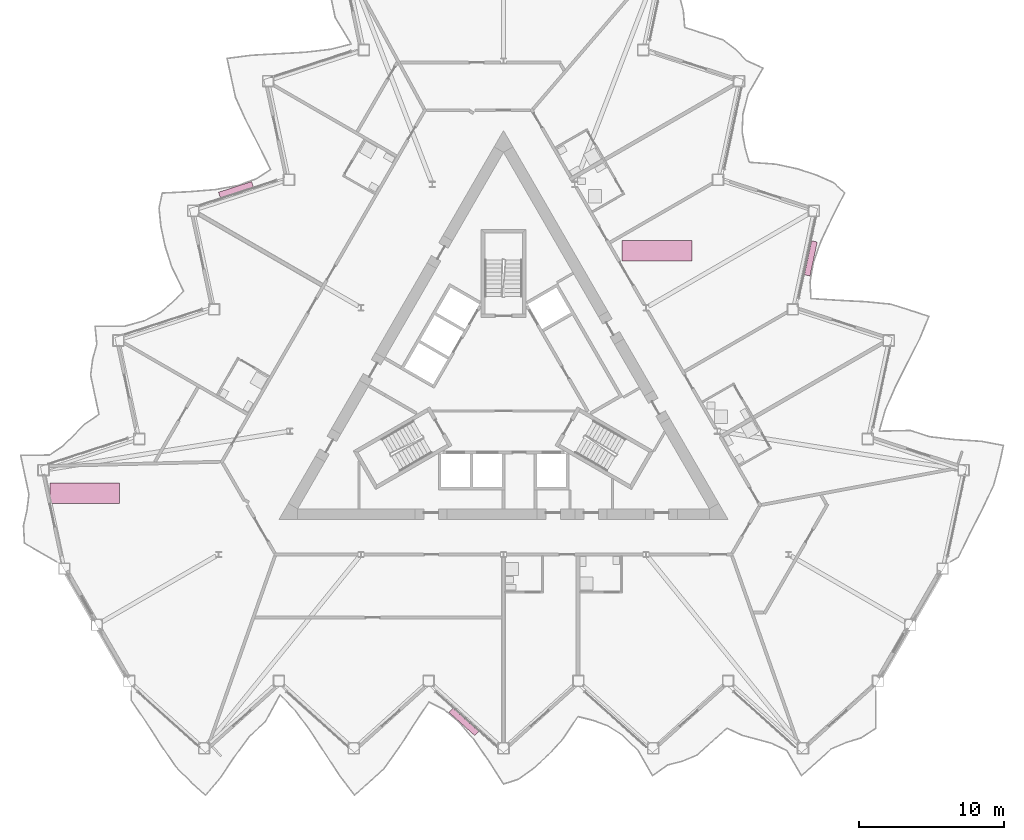
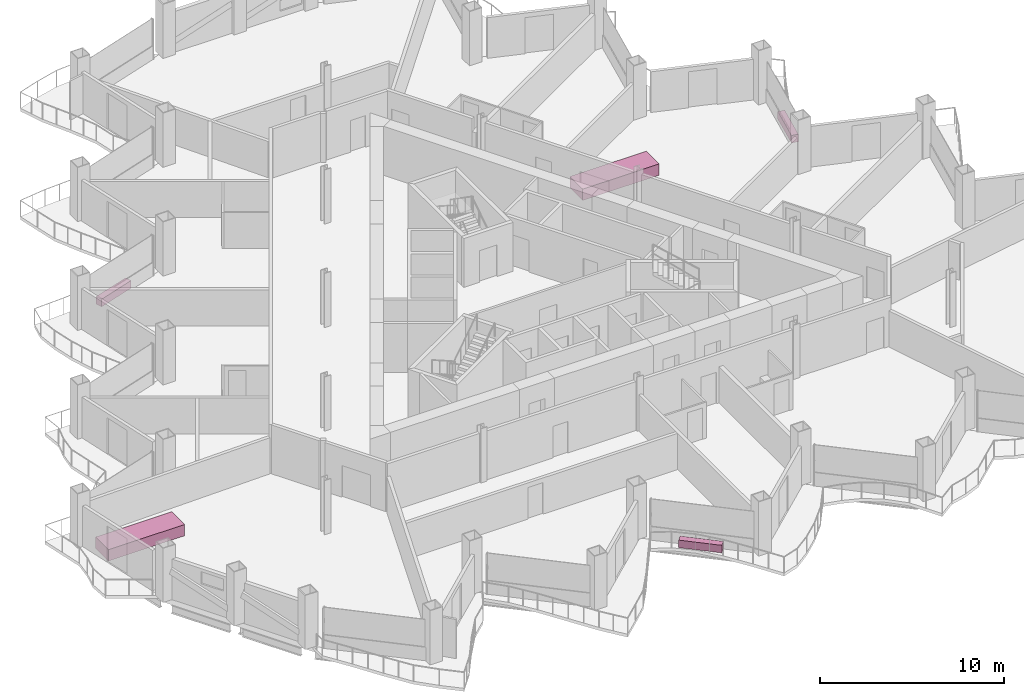
# One storey, part 22 of 22: 5 furniture elements.
"""IFC4 building model written with IfcOpenShell, lengths in metres."""

import ifcopenshell
import ifcopenshell.guid

model = None  # the IFC model being written
_history = None  # IfcOwnerHistory: only IFC2X3 demands one
_inside = {}  # id of a spatial element -> (the spatial element, [elements in it])
_under = {}  # id of a project, library or spatial element -> (it, [spatial elements below it])
_declared = {}  # id of a project -> (the project, [libraries it declares])
_typed = {}  # id of a type object -> (the type object, [elements of that type])
_made_of = {}  # id of a material, layer set ... -> (it, [elements and type objects made of it])


def new_model(schema):
    """Start an empty IFC model of exactly this schema.

    Asked for "IFC4X3", IfcOpenShell would pick the latest addendum, in which some entities
    have other attributes; the version numbers below select the first issue.
    IFC2X3 requires an IfcOwnerHistory on every rooted entity: one is made here for all.
    """
    global model, _history
    if schema == "IFC4X3":
        model = ifcopenshell.file(schema_version=(4, 3, 0, 0))
    else:
        model = ifcopenshell.file(schema=schema)
    _inside.clear()
    _under.clear()
    _declared.clear()
    _typed.clear()
    _made_of.clear()
    _history = None
    if model.schema == "IFC2X3":
        org = make("IfcOrganization", Name="unknown")
        user = make(
            "IfcPersonAndOrganization",
            ThePerson=make("IfcPerson", FamilyName="unknown"),
            TheOrganization=org,
        )
        app = make(
            "IfcApplication",
            ApplicationDeveloper=org,
            Version="unknown",
            ApplicationFullName="unknown",
            ApplicationIdentifier="unknown",
        )
        _history = make(
            "IfcOwnerHistory",
            OwningUser=user,
            OwningApplication=app,
            ChangeAction="ADDED",
            CreationDate=0,
        )
    return model


def make(cls, **values):
    """One entity of the class cls with the attributes given. An attribute that is None is left unset."""
    return model.create_entity(
        cls, **{name: value for name, value in values.items() if value is not None}
    )


def rooted(cls, **values):
    """An entity with a GlobalId (a new one), such as an element, a storey or a relation."""
    return make(cls, GlobalId=ifcopenshell.guid.new(), OwnerHistory=_history, **values)


def si_unit(unit_type, name, prefix=None):
    """IfcSIUnit, for example si_unit("LENGTHUNIT", "METRE", prefix="MILLI")."""
    return make("IfcSIUnit", UnitType=unit_type, Prefix=prefix, Name=name)


def assignment(units):
    """IfcUnitAssignment: the units of a project."""
    return None if units is None else make("IfcUnitAssignment", Units=units)


def point(xyz):
    """IfcCartesianPoint."""
    return None if xyz is None else make("IfcCartesianPoint", Coordinates=xyz)


def direction(xyz):
    """IfcDirection."""
    return None if xyz is None else make("IfcDirection", DirectionRatios=xyz)


def frame(location, z_axis=None, x_axis=None):
    """IfcAxis2Placement3D, a coordinate frame: its origin and axes. An axis left out is left unset."""
    return make(
        "IfcAxis2Placement3D",
        Location=point(location),
        Axis=direction(z_axis),
        RefDirection=direction(x_axis),
    )


def frame_2d(location, x_axis=None):
    """IfcAxis2Placement2D, a coordinate frame in the plane: its origin and x axis."""
    return make(
        "IfcAxis2Placement2D", Location=point(location), RefDirection=direction(x_axis)
    )


def origin():
    """The frame at (0, 0, 0) with its axes left unset."""
    return frame((0.0, 0.0, 0.0))


def origin_2d():
    """The frame at (0, 0) in the plane with its x axis left unset."""
    return frame_2d((0.0, 0.0))


def place(relative_to, where):
    """IfcLocalPlacement: puts the frame where relative to a parent placement (None: the world)."""
    return make(
        "IfcLocalPlacement", PlacementRelTo=relative_to, RelativePlacement=where
    )


def context(
    kind, dimensions, precision=None, world=None, true_north=None, identifier=None
):
    """IfcGeometricRepresentationContext, for example the 3D "Model" context."""
    return make(
        "IfcGeometricRepresentationContext",
        ContextIdentifier=identifier,
        ContextType=kind,
        CoordinateSpaceDimension=dimensions,
        Precision=precision,
        WorldCoordinateSystem=world,
        TrueNorth=true_north,
    )


def subcontext(parent, identifier, kind, view, scale=None):
    """IfcGeometricRepresentationSubContext, for example "Body" below "Model"."""
    return make(
        "IfcGeometricRepresentationSubContext",
        ContextIdentifier=identifier,
        ContextType=kind,
        ParentContext=parent,
        TargetScale=scale,
        TargetView=view,
    )


def project(units=None, contexts=None):
    """IfcProject with its units and contexts."""
    return rooted(
        "IfcProject",
        Name="project",
        RepresentationContexts=contexts,
        UnitsInContext=assignment(units),
    )


def spatial(cls, under=None, at=None, **own):
    """A site, building, storey or space (cls), placed at a placement, below another one or the project."""
    s = rooted(cls, ObjectPlacement=at, **own)
    if under is not None:
        _under.setdefault(under.id(), (under, []))[1].append(s)
    return s


def profile(cls, at=None, kind="AREA", **sizes):
    """A parametric profile (cls). Its sizes go by their IFC names, for example OverallWidth=200.0."""
    return make(cls, ProfileType=kind, Position=at, **sizes)


def rectangle(**sizes):
    """IfcRectangleProfileDef."""
    return profile("IfcRectangleProfileDef", **sizes)


def extrude(swept, where, along, depth):
    """IfcExtrudedAreaSolid: the profile swept, set in the frame where, extruded along a direction by depth."""
    return make(
        "IfcExtrudedAreaSolid",
        SweptArea=swept,
        Position=where,
        ExtrudedDirection=direction(along),
        Depth=depth,
    )


def shape(context_of_items, identifier, shape_type, items):
    """IfcShapeRepresentation: the items that make up one representation, for example the "Body"."""
    return make(
        "IfcShapeRepresentation",
        ContextOfItems=context_of_items,
        RepresentationIdentifier=identifier,
        RepresentationType=shape_type,
        Items=items,
    )


def material(Name=None, Category=None):
    """IfcMaterial."""
    return make("IfcMaterial", Name=Name, Category=Category)


def made_of(thing, what):
    """Note that an element or type object is made of a material, layer set ...; save() writes the relation."""
    if what is not None:
        _made_of.setdefault(what.id(), (what, []))[1].append(thing)
    return thing


def type_object(cls, material=None, **own):
    """A type object (cls), such as IfcWallType, which elements share."""
    return made_of(rooted(cls, **own), material)


def element(
    cls,
    number,
    at=None,
    inside=None,
    cuts=None,
    type_object=None,
    material=None,
    context=None,
    identifier="Body",
    shape_type=None,
    held_by="IfcProductDefinitionShape",
    body=None,
    shapes=None,
    **own,
):
    """One element of the class cls, such as IfcWall. Its Tag is "e" and its number.

    at: its placement. inside: the storey or other place that contains it. cuts: it is an
    opening in that element (IfcRelVoidsElement). A single representation is given by context,
    identifier, shape_type and body (its items); several are given by shapes. held_by: the class
    of the entity that holds the representations. save() writes the other relations.
    """
    e = rooted(cls, Tag="e%d" % number, ObjectPlacement=at, **own)
    if body is not None:
        shapes = [shape(context, identifier, shape_type, body)]
    if shapes is not None:
        e.Representation = make(held_by, Representations=shapes)
    if inside is not None:
        _inside.setdefault(inside.id(), (inside, []))[1].append(e)
    if cuts is not None:
        rooted(
            "IfcRelVoidsElement", RelatingBuildingElement=cuts, RelatedOpeningElement=e
        )
    if type_object is not None:
        _typed.setdefault(type_object.id(), (type_object, []))[1].append(e)
    return made_of(e, material)


def aggregate(whole, parts):
    """IfcRelAggregates: a whole, such as a stair, and the parts it consists of."""
    return rooted("IfcRelAggregates", RelatingObject=whole, RelatedObjects=parts)


def save(model, path):
    """Write the relations noted so far, then the file.

    IfcRelAggregates (storeys below a building ...), IfcRelContainedInSpatialStructure (elements
    in a storey), IfcRelDefinesByType, IfcRelAssociatesMaterial and IfcRelDeclares: one each for
    every whole, place, type object, material and project.
    """
    for whole, parts in _under.values():
        aggregate(whole, parts)
    for where, things in _inside.values():
        rooted(
            "IfcRelContainedInSpatialStructure",
            RelatedElements=things,
            RelatingStructure=where,
        )
    for kind, things in _typed.values():
        rooted("IfcRelDefinesByType", RelatedObjects=things, RelatingType=kind)
    for what, things in _made_of.values():
        rooted("IfcRelAssociatesMaterial", RelatedObjects=things, RelatingMaterial=what)
    for by, libraries in _declared.values():
        rooted("IfcRelDeclares", RelatingContext=by, RelatedDefinitions=libraries)
    model.write(path)


model = new_model("IFC4")

# Units and contexts
model_context = context("Model", 3, precision=1e-05, world=origin(), true_north=direction((0.0, 1.0)))
body_context = subcontext(model_context, "Body", "Model", "MODEL_VIEW")
ifc_project = project(units=[si_unit("LENGTHUNIT", "METRE"), si_unit("AREAUNIT", "SQUARE_METRE"), si_unit("VOLUMEUNIT", "CUBIC_METRE"), si_unit("PLANEANGLEUNIT", "RADIAN"), si_unit("MASSUNIT", "GRAM", prefix="KILO")], contexts=[model_context])

# Site, building, storey
site_placement = place(None, origin())
site = spatial("IfcSite", under=ifc_project, at=site_placement, CompositionType="ELEMENT")
building_placement = place(site_placement, origin())
building = spatial("IfcBuilding", under=site, at=building_placement, Name="Cormorant Prow Tower", CompositionType="ELEMENT")
storey_placement = place(building_placement, frame((0.0, 0.0, 198.0)))
storey = spatial("IfcBuildingStorey", under=building, at=storey_placement, Name="L43", CompositionType="ELEMENT", Elevation=198.0)

# Furniture
ifc_material_1 = material(Name="Terracotta", Category="masonry")
furniture_type_1 = type_object("IfcFurnitureType", Name="Balcony planter 2400x400x500", AssemblyPlace="NOTDEFINED", PredefinedType="USERDEFINED", material=ifc_material_1)
for number, where, z_axis, x_axis, name in (
    (1, (-2.736572265625, -22.898193359375, 0.0), (0.0, 0.0, 1.0), (0.743144831959, -0.66913059916, 0.0), "Balcony planter S04"),
    (2, (21.19873046875, 9.0791015625, 0.0), (0.0, 0.0, 1.0), (0.207911629905, 0.978147613681, 0.0), "Balcony planter ENE04"),
    (3, (-18.462158203125, 13.819091796875, 0.0), (0.0, 0.0, 1.0), (-0.951056519963, -0.309016983088, 0.0), "Balcony planter WNW04"),
):
    element("IfcFurniture", number, at=place(storey_placement, frame(where, z_axis=z_axis, x_axis=x_axis)), inside=storey, type_object=furniture_type_1, Name=name, ObjectType="PLANTER", PredefinedType="USERDEFINED", context=body_context, shape_type="SweptSolid", body=[
        extrude(rectangle(XDim=2.39990234375, YDim=0.39990234375, at=origin_2d()), origin(), (0.0, 0.0, 1.0), 0.5),
    ])
ifc_material_2 = material(Name="Timber joinery", Category="wood")
furniture_type_2 = type_object("IfcFurnitureType", Name="Conference table 4800x1400", AssemblyPlace="NOTDEFINED", PredefinedType="TABLE", material=ifc_material_2)
for number, where, z_axis, x_axis, name in (
    (4, (10.589111328125, 9.60400390625, 0.0), (0.0, 0.0, 1.0), (1.0, 0.0, 0.0), "Conference table"),
    (5, (-28.888916015625, -7.12158203125, 0.0), (0.0, 0.0, 1.0), (1.0, 0.0, 0.0), "Conference table"),
):
    element("IfcFurniture", number, at=place(storey_placement, frame(where, z_axis=z_axis, x_axis=x_axis)), inside=storey, type_object=furniture_type_2, Name=name, PredefinedType="TABLE", context=body_context, shape_type="SweptSolid", body=[
        extrude(rectangle(XDim=4.800048828125, YDim=1.39990234375, at=origin_2d()), origin(), (0.0, 0.0, 1.0), 0.75),
    ])

save(model, "model.ifc")
